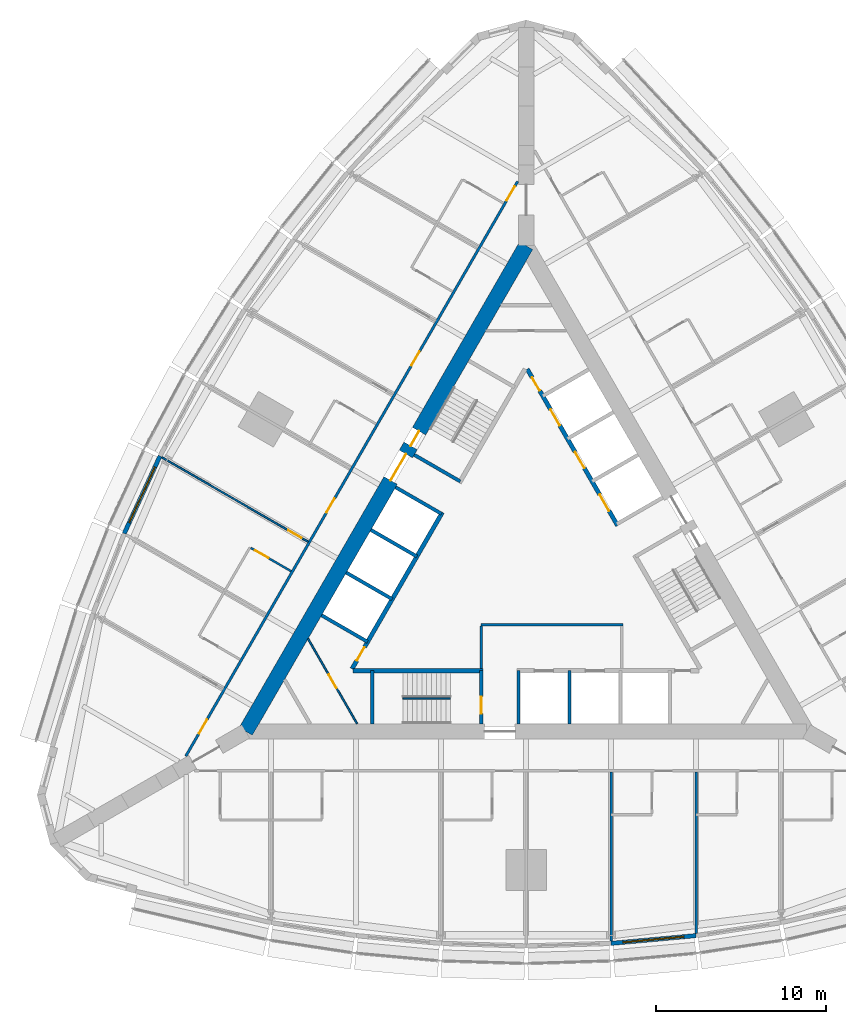
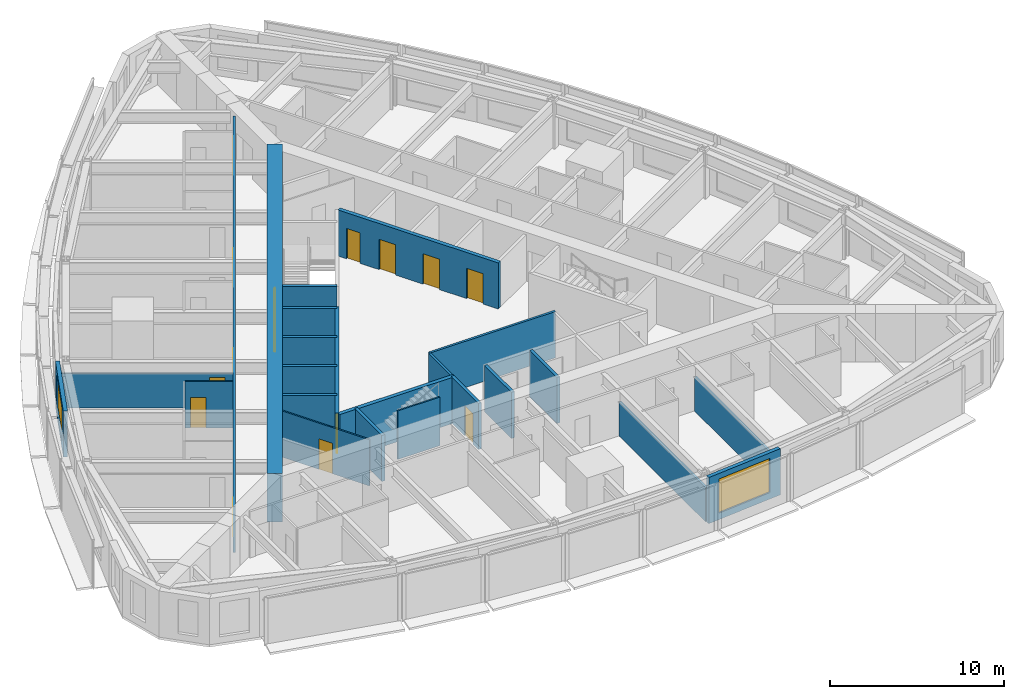
# One storey, part 9 of 14: 24 walls, 15 doors, 2 windows, 17 openings.
"""IFC4 building model written with IfcOpenShell, lengths in metres."""

from ifc_helpers import new_model, si_unit, direction, frame, frame_2d, origin, place, context, subcontext, project, spatial, rectangle, extrude, material, layer, layer_set, type_object, element, fill, save


model = new_model("IFC4")

# Units and contexts
model_context = context("Model", 3, precision=1e-05, world=origin(), true_north=direction((0.0, 1.0)))
body_context = subcontext(model_context, "Body", "Model", "MODEL_VIEW")
ifc_project = project(units=[si_unit("LENGTHUNIT", "METRE"), si_unit("AREAUNIT", "SQUARE_METRE"), si_unit("VOLUMEUNIT", "CUBIC_METRE"), si_unit("PLANEANGLEUNIT", "RADIAN"), si_unit("MASSUNIT", "GRAM", prefix="KILO")], contexts=[model_context])

# Site, building, storey
site_placement = place(None, origin())
site = spatial("IfcSite", under=ifc_project, at=site_placement, CompositionType="ELEMENT")
building_placement = place(site_placement, origin())
building = spatial("IfcBuilding", under=site, at=building_placement, Name="Trikona Tower", CompositionType="ELEMENT")
storey_placement = place(building_placement, frame((0.0, 0.0, 79.5)))
storey = spatial("IfcBuildingStorey", under=building, at=storey_placement, Name="L20", CompositionType="ELEMENT", Elevation=79.5)

# Wall, opening, door
ifc_material_1 = material(Name="Metal stud and cement board", Category="gypsum")
ifc_layer_1 = layer(ifc_material_1, 0.1201171875)
ifc_layer_set_1 = layer_set([ifc_layer_1], Name="Bathroom wall 120")
wall_type_1 = type_object("IfcWallType", Name="Bathroom wall 120", PredefinedType="PLUMBINGWALL", material=ifc_layer_set_1)
wall_1_placement = place(storey_placement, frame((-13.82861328125, -0.09912109375, 0.0), z_axis=(0.0, 0.0, 1.0), x_axis=(-0.865997131366, 0.500048966069, 0.0)))
wall_1 = element("IfcWall", 1, at=wall_1_placement, inside=storey, type_object=wall_type_1, Name="Bathroom wall 2015.1", PredefinedType="PLUMBINGWALL", context=body_context, shape_type="SweptSolid", body=[
    extrude(rectangle(XDim=2.739990234375, YDim=0.1201171875, at=frame_2d((1.3701171875, 0.0))), origin(), (0.0, 0.0, 1.0), 3.235107421875),
])
opening_1_placement = place(wall_1_placement, frame((1.550048828125, 0.0, 0.0)))
opening_1 = element("IfcOpeningElement", 2, at=opening_1_placement, cuts=wall_1, Name="Opening D2", PredefinedType="OPENING", context=body_context, shape_type="SweptSolid", body=[
    extrude(rectangle(XDim=0.89990234375, YDim=2.1298828125, at=frame_2d((0.449951171875, 1.06494140625))), frame((0.0, 0.070068359375, 0.0), z_axis=(0.0, -1.0, 0.0), x_axis=(1.0, 0.0, 0.0)), (0.0, 0.0, 1.0), 0.14013671875),
])
ifc_material_2 = material(Name="Steel door frame with solid-core timber leaf", Category="steel")
door_type_1 = type_object("IfcDoorType", Name="Bathroom door 900x2130", OperationType="SLIDING_TO_LEFT", PredefinedType="DOOR", material=ifc_material_2)
door_1_placement = place(opening_1_placement, origin())
door_1 = element("IfcDoor", 3, at=door_1_placement, inside=storey, type_object=door_type_1, Name="Bathroom door 2015.1", OperationType="SLIDING_TO_LEFT", OverallHeight=2.1298828125, OverallWidth=0.89990234375, PredefinedType="DOOR", context=body_context, shape_type="SweptSolid", body=[
    extrude(rectangle(XDim=0.89990234375, YDim=2.1298828125, at=frame_2d((0.449951171875, 1.06494140625))), frame((0.0, 0.02490234375, 0.0), z_axis=(0.0, -1.0, 0.0), x_axis=(1.0, 0.0, 0.0)), (0.0, 0.0, 1.0), 0.050048828125),
])
fill(opening_1, door_1)

# Wall, openings, doors
ifc_material_3 = material(Name="Concrete f'c 10000 psi", Category="concrete")
ifc_layer_2 = layer(ifc_material_3, 0.89990234375)
ifc_layer_set_2 = layer_set([ifc_layer_2], Name="Core wall 900")
wall_type_2 = type_object("IfcWallType", Name="Core wall 900", PredefinedType="SHEAR", material=ifc_layer_set_2)
wall_2_placement = place(storey_placement, frame((0.0, 19.052490234375, 0.0), z_axis=(0.0, 0.0, 1.0), x_axis=(-0.499999749417, -0.866025548458, 0.0)))
wall_2 = element("IfcWall", 4, at=wall_2_placement, inside=storey, type_object=wall_type_2, Name="Core wall C", PredefinedType="SHEAR", context=body_context, shape_type="SweptSolid", body=[
    extrude(rectangle(XDim=33.0, YDim=0.89990234375, at=frame_2d((16.5, 0.0))), origin(), (0.0, 0.0, 1.0), 3.39990234375),
])
opening_2_placement = place(wall_2_placement, frame((14.14990234375, 0.0, 0.0)))
opening_2 = element("IfcOpeningElement", 5, at=opening_2_placement, cuts=wall_2, Name="Opening D6", PredefinedType="OPENING", context=body_context, shape_type="SweptSolid", body=[
    extrude(rectangle(XDim=1.800048828125, YDim=2.1298828125, at=frame_2d((0.89990234375, 1.06494140625))), frame((0.0, 0.4599609375, 0.0), z_axis=(0.0, -1.0, 0.0), x_axis=(1.0, 0.0, 0.0)), (0.0, 0.0, 1.0), 0.919921875),
])
opening_3_placement = place(wall_2_placement, frame((12.60009765625, 0.0, 0.0)))
opening_3 = element("IfcOpeningElement", 6, at=opening_3_placement, cuts=wall_2, Name="Opening D5", PredefinedType="OPENING", context=body_context, shape_type="SweptSolid", body=[
    extrude(rectangle(XDim=1.0, YDim=2.1298828125, at=frame_2d((0.5, 1.06494140625))), frame((0.0, 0.4599609375, 0.0), z_axis=(0.0, -1.0, 0.0), x_axis=(1.0, 0.0, 0.0)), (0.0, 0.0, 1.0), 0.919921875),
])
ifc_material_4 = material(Name="Hollow metal door and frame", Category="steel")
door_type_2 = type_object("IfcDoorType", Name="Lobby door pair 1800x2130", OperationType="DOUBLE_DOOR_SINGLE_SWING", PredefinedType="DOOR", material=ifc_material_4)
door_2_placement = place(opening_2_placement, origin())
door_2 = element("IfcDoor", 7, at=door_2_placement, inside=storey, type_object=door_type_2, Name="Lift lobby door C", OperationType="DOUBLE_DOOR_SINGLE_SWING", OverallHeight=2.1298828125, OverallWidth=1.800048828125, PredefinedType="DOOR", context=body_context, shape_type="SweptSolid", body=[
    extrude(rectangle(XDim=1.800048828125, YDim=2.1298828125, at=frame_2d((0.89990234375, 1.06494140625))), frame((0.0, 0.02490234375, 0.0), z_axis=(0.0, -1.0, 0.0), x_axis=(1.0, 0.0, 0.0)), (0.0, 0.0, 1.0), 0.050048828125),
])
fill(opening_2, door_2)
ifc_material_5 = material(Name="Hollow metal door and frame", Category="steel")
door_type_3 = type_object("IfcDoorType", Name="Stair door 1000x2130", OperationType="SINGLE_SWING_LEFT", PredefinedType="DOOR", material=ifc_material_5)
door_3_placement = place(opening_3_placement, origin())
door_3 = element("IfcDoor", 8, at=door_3_placement, inside=storey, type_object=door_type_3, Name="Stair C door", OperationType="SINGLE_SWING_RIGHT", OverallHeight=2.1298828125, OverallWidth=1.0, PredefinedType="DOOR", context=body_context, shape_type="SweptSolid", body=[
    extrude(rectangle(XDim=1.0, YDim=2.1298828125, at=frame_2d((0.5, 1.06494140625))), frame((0.0, 0.02490234375, 0.0), z_axis=(0.0, -1.0, 0.0), x_axis=(1.0, 0.0, 0.0)), (0.0, 0.0, 1.0), 0.050048828125),
])
fill(opening_3, door_3)

ifc_material_6 = material(Name="Metal stud and gypsum board, 1-hour", Category="gypsum")
ifc_layer_3 = layer(ifc_material_6, 0.14990234375)
ifc_layer_set_3 = layer_set([ifc_layer_3], Name="Corridor wall 150")
wall_type_3 = type_object("IfcWallType", Name="Corridor wall 150", PredefinedType="PARTITIONING", material=ifc_layer_set_3)
wall_3_placement = place(storey_placement, frame((-0.5, 22.83642578125, 0.0), z_axis=(0.0, 0.0, 1.0), x_axis=(-0.500001677587, -0.866024435227, 0.0)))
wall_3 = element("IfcWall", 9, at=wall_3_placement, inside=storey, type_object=wall_type_3, Name="Corridor wall L20-3", PredefinedType="PARTITIONING", context=body_context, shape_type="SweptSolid", body=[
    extrude(rectangle(XDim=39.053955078125, YDim=0.14990234375, at=frame_2d((19.52685546875, 0.0))), origin(), (0.0, 0.0, 1.0), 3.235107421875),
])
opening_4_placement = place(wall_3_placement, frame((0.35205078125, 0.0, 0.0)))
opening_4 = element("IfcOpeningElement", 10, at=opening_4_placement, cuts=wall_3, Name="Opening D1", PredefinedType="OPENING", context=body_context, shape_type="SweptSolid", body=[
    extrude(rectangle(XDim=0.949951171875, YDim=2.1298828125, at=frame_2d((0.47509765625, 1.06494140625))), frame((0.0, 0.0849609375, 0.0), z_axis=(0.0, -1.0, 0.0), x_axis=(1.0, 0.0, 0.0)), (0.0, 0.0, 1.0), 0.169921875),
])
opening_5_placement = place(wall_3_placement, frame((11.552001953125, 0.0, 0.0)))
opening_5 = element("IfcOpeningElement", 11, at=opening_5_placement, cuts=wall_3, Name="Opening D1", PredefinedType="OPENING", context=body_context, shape_type="SweptSolid", body=[
    extrude(rectangle(XDim=0.949951171875, YDim=2.1298828125, at=frame_2d((0.47509765625, 1.06494140625))), frame((0.0, 0.0849609375, 0.0), z_axis=(0.0, -1.0, 0.0), x_axis=(1.0, 0.0, 0.0)), (0.0, 0.0, 1.0), 0.169921875),
])
opening_6_placement = place(wall_3_placement, frame((21.552001953125, 0.0, 0.0)))
opening_6 = element("IfcOpeningElement", 12, at=opening_6_placement, cuts=wall_3, Name="Opening D1", PredefinedType="OPENING", context=body_context, shape_type="SweptSolid", body=[
    extrude(rectangle(XDim=0.949951171875, YDim=2.1298828125, at=frame_2d((0.47509765625, 1.06494140625))), frame((0.0, 0.0849609375, 0.0), z_axis=(0.0, -1.0, 0.0), x_axis=(1.0, 0.0, 0.0)), (0.0, 0.0, 1.0), 0.169921875),
])
opening_7_placement = place(wall_3_placement, frame((36.545654296875, 0.0, 0.0)))
opening_7 = element("IfcOpeningElement", 13, at=opening_7_placement, cuts=wall_3, Name="Opening D1", PredefinedType="OPENING", context=body_context, shape_type="SweptSolid", body=[
    extrude(rectangle(XDim=0.949951171875, YDim=2.1298828125, at=frame_2d((0.47509765625, 1.06494140625))), frame((0.0, 0.0849609375, 0.0), z_axis=(0.0, -1.0, 0.0), x_axis=(1.0, 0.0, 0.0)), (0.0, 0.0, 1.0), 0.169921875),
])
ifc_material_7 = material(Name="Steel door frame with solid-core timber leaf", Category="steel")
door_type_4 = type_object("IfcDoorType", Name="Guest room door 950x2130", OperationType="SINGLE_SWING_LEFT", PredefinedType="DOOR", material=ifc_material_7)
door_4_placement = place(opening_4_placement, origin())
door_4 = element("IfcDoor", 14, at=door_4_placement, inside=storey, type_object=door_type_4, Name="Room door 2013", OperationType="SINGLE_SWING_LEFT", OverallHeight=2.1298828125, OverallWidth=0.949951171875, PredefinedType="DOOR", context=body_context, shape_type="SweptSolid", body=[
    extrude(rectangle(XDim=0.949951171875, YDim=2.1298828125, at=frame_2d((0.47509765625, 1.06494140625))), frame((0.0, 0.02490234375, 0.0), z_axis=(0.0, -1.0, 0.0), x_axis=(1.0, 0.0, 0.0)), (0.0, 0.0, 1.0), 0.050048828125),
])
fill(opening_4, door_4)
door_5_placement = place(opening_5_placement, origin())
door_5 = element("IfcDoor", 15, at=door_5_placement, inside=storey, type_object=door_type_4, Name="Room door 2014", OperationType="SINGLE_SWING_RIGHT", OverallHeight=2.1298828125, OverallWidth=0.949951171875, PredefinedType="DOOR", context=body_context, shape_type="SweptSolid", body=[
    extrude(rectangle(XDim=0.949951171875, YDim=2.1298828125, at=frame_2d((0.47509765625, 1.06494140625))), frame((0.0, 0.02490234375, 0.0), z_axis=(0.0, -1.0, 0.0), x_axis=(1.0, 0.0, 0.0)), (0.0, 0.0, 1.0), 0.050048828125),
])
fill(opening_5, door_5)
door_6_placement = place(opening_6_placement, origin())
door_6 = element("IfcDoor", 16, at=door_6_placement, inside=storey, type_object=door_type_4, Name="Room door 2015", OperationType="SINGLE_SWING_LEFT", OverallHeight=2.1298828125, OverallWidth=0.949951171875, PredefinedType="DOOR", context=body_context, shape_type="SweptSolid", body=[
    extrude(rectangle(XDim=0.949951171875, YDim=2.1298828125, at=frame_2d((0.47509765625, 1.06494140625))), frame((0.0, 0.02490234375, 0.0), z_axis=(0.0, -1.0, 0.0), x_axis=(1.0, 0.0, 0.0)), (0.0, 0.0, 1.0), 0.050048828125),
])
fill(opening_6, door_6)
door_7_placement = place(opening_7_placement, origin())
door_7 = element("IfcDoor", 17, at=door_7_placement, inside=storey, type_object=door_type_4, Name="Room door 2016", OperationType="SINGLE_SWING_RIGHT", OverallHeight=2.1298828125, OverallWidth=0.949951171875, PredefinedType="DOOR", context=body_context, shape_type="SweptSolid", body=[
    extrude(rectangle(XDim=0.949951171875, YDim=2.1298828125, at=frame_2d((0.47509765625, 1.06494140625))), frame((0.0, 0.02490234375, 0.0), z_axis=(0.0, -1.0, 0.0), x_axis=(1.0, 0.0, 0.0)), (0.0, 0.0, 1.0), 0.050048828125),
])
fill(opening_7, door_7)

# Wall
ifc_material_8 = material(Name="Concrete f'c 8000 psi", Category="concrete")
ifc_layer_4 = layer(ifc_material_8, 0.25)
ifc_layer_set_4 = layer_set([ifc_layer_4], Name="Hub wall 250")
wall_type_4 = type_object("IfcWallType", Name="Hub wall 250", PredefinedType="SOLIDWALL", material=ifc_layer_set_4)
wall_4_placement = place(storey_placement, frame((-10.182861328125, -5.951416015625, 0.0), z_axis=(0.0, 0.0, 1.0), x_axis=(1.0, 0.0, 0.0)))
element("IfcWall", 18, at=wall_4_placement, inside=storey, type_object=wall_type_4, Name="Lift lobby wall A1", PredefinedType="SOLIDWALL", context=body_context, shape_type="SweptSolid", body=[
    extrude(rectangle(XDim=7.6328125, YDim=0.25, at=frame_2d((3.81640625, 0.0))), origin(), (0.0, 0.0, 1.0), 3.235107421875),
])

# Wall, openings, doors
wall_5_placement = place(storey_placement, frame((5.37890625, 2.5859375, 0.0), z_axis=(0.0, 0.0, 1.0), x_axis=(-0.500001375892, 0.866024609411, 0.0)))
wall_5 = element("IfcWall", 19, at=wall_5_placement, inside=storey, type_object=wall_type_4, Name="Lift lobby wall B2", PredefinedType="SOLIDWALL", context=body_context, shape_type="SweptSolid", body=[
    extrude(rectangle(XDim=10.6328125, YDim=0.25, at=frame_2d((5.31640625, 0.0))), origin(), (0.0, 0.0, 1.0), 3.235107421875),
])
opening_8_placement = place(wall_5_placement, frame((9.1640625, 0.0, 0.0)))
opening_8 = element("IfcOpeningElement", 20, at=opening_8_placement, cuts=wall_5, Name="Opening D14", PredefinedType="OPENING", context=body_context, shape_type="SweptSolid", body=[
    extrude(rectangle(XDim=0.89990234375, YDim=2.1298828125, at=frame_2d((0.449951171875, 1.06494140625))), frame((0.0, 0.135009765625, 0.0), z_axis=(0.0, -1.0, 0.0), x_axis=(1.0, 0.0, 0.0)), (0.0, 0.0, 1.0), 0.27001953125),
])
opening_9_placement = place(wall_5_placement, frame((1.0, 0.0, 0.0)))
opening_9 = element("IfcOpeningElement", 21, at=opening_9_placement, cuts=wall_5, Name="Opening LD", PredefinedType="OPENING", context=body_context, shape_type="SweptSolid", body=[
    extrude(rectangle(XDim=1.10009765625, YDim=2.1298828125, at=frame_2d((0.550048828125, 1.06494140625))), frame((0.0, 0.135009765625, 0.0), z_axis=(0.0, -1.0, 0.0), x_axis=(1.0, 0.0, 0.0)), (0.0, 0.0, 1.0), 0.27001953125),
])
opening_10_placement = place(wall_5_placement, frame((3.89990234375, 0.0, 0.0)))
opening_10 = element("IfcOpeningElement", 22, at=opening_10_placement, cuts=wall_5, Name="Opening LD", PredefinedType="OPENING", context=body_context, shape_type="SweptSolid", body=[
    extrude(rectangle(XDim=1.10009765625, YDim=2.1298828125, at=frame_2d((0.550048828125, 1.06494140625))), frame((0.0, 0.135009765625, 0.0), z_axis=(0.0, -1.0, 0.0), x_axis=(1.0, 0.0, 0.0)), (0.0, 0.0, 1.0), 0.27001953125),
])
opening_11_placement = place(wall_5_placement, frame((6.800048828125, 0.0, 0.0)))
opening_11 = element("IfcOpeningElement", 23, at=opening_11_placement, cuts=wall_5, Name="Opening LD", PredefinedType="OPENING", context=body_context, shape_type="SweptSolid", body=[
    extrude(rectangle(XDim=1.10009765625, YDim=2.1298828125, at=frame_2d((0.550048828125, 1.06494140625))), frame((0.0, 0.135009765625, 0.0), z_axis=(0.0, -1.0, 0.0), x_axis=(1.0, 0.0, 0.0)), (0.0, 0.0, 1.0), 0.27001953125),
])
ifc_material_9 = material(Name="Stainless steel lift landing door", Category="steel")
door_type_5 = type_object("IfcDoorType", Name="Lift landing door 1100x2130", OperationType="DOUBLE_DOOR_SLIDING", PredefinedType="USERDEFINED", material=ifc_material_9)
door_8_placement = place(opening_9_placement, origin())
door_8 = element("IfcDoor", 24, at=door_8_placement, inside=storey, type_object=door_type_5, Name="Lift landing door L1-1", ObjectType="LIFT LANDING DOOR", OperationType="DOUBLE_DOOR_SLIDING", OverallHeight=2.1298828125, OverallWidth=1.10009765625, PredefinedType="USERDEFINED", context=body_context, shape_type="SweptSolid", body=[
    extrude(rectangle(XDim=1.10009765625, YDim=2.1298828125, at=frame_2d((0.550048828125, 1.06494140625))), frame((0.0, 0.02490234375, 0.0), z_axis=(0.0, -1.0, 0.0), x_axis=(1.0, 0.0, 0.0)), (0.0, 0.0, 1.0), 0.050048828125),
])
fill(opening_9, door_8)
door_9_placement = place(opening_10_placement, origin())
door_9 = element("IfcDoor", 25, at=door_9_placement, inside=storey, type_object=door_type_5, Name="Lift landing door L1-2", ObjectType="LIFT LANDING DOOR", OperationType="DOUBLE_DOOR_SLIDING", OverallHeight=2.1298828125, OverallWidth=1.10009765625, PredefinedType="USERDEFINED", context=body_context, shape_type="SweptSolid", body=[
    extrude(rectangle(XDim=1.10009765625, YDim=2.1298828125, at=frame_2d((0.550048828125, 1.06494140625))), frame((0.0, 0.02490234375, 0.0), z_axis=(0.0, -1.0, 0.0), x_axis=(1.0, 0.0, 0.0)), (0.0, 0.0, 1.0), 0.050048828125),
])
fill(opening_10, door_9)
door_10_placement = place(opening_11_placement, origin())
door_10 = element("IfcDoor", 26, at=door_10_placement, inside=storey, type_object=door_type_5, Name="Lift landing door L1-3", ObjectType="LIFT LANDING DOOR", OperationType="DOUBLE_DOOR_SLIDING", OverallHeight=2.1298828125, OverallWidth=1.10009765625, PredefinedType="USERDEFINED", context=body_context, shape_type="SweptSolid", body=[
    extrude(rectangle(XDim=1.10009765625, YDim=2.1298828125, at=frame_2d((0.550048828125, 1.06494140625))), frame((0.0, 0.02490234375, 0.0), z_axis=(0.0, -1.0, 0.0), x_axis=(1.0, 0.0, 0.0)), (0.0, 0.0, 1.0), 0.050048828125),
])
fill(opening_11, door_10)
ifc_material_10 = material(Name="Hollow metal door and frame", Category="steel")
door_type_6 = type_object("IfcDoorType", Name="Service room door 900x2130", OperationType="SINGLE_SWING_LEFT", PredefinedType="DOOR", material=ifc_material_10)
door_11_placement = place(opening_8_placement, origin())
door_11 = element("IfcDoor", 27, at=door_11_placement, inside=storey, type_object=door_type_6, Name="Door Linen store LIN", OperationType="SINGLE_SWING_RIGHT", OverallHeight=2.1298828125, OverallWidth=0.89990234375, PredefinedType="DOOR", context=body_context, shape_type="SweptSolid", body=[
    extrude(rectangle(XDim=0.89990234375, YDim=2.1298828125, at=frame_2d((0.449951171875, 1.06494140625))), frame((0.0, 0.02490234375, 0.0), z_axis=(0.0, -1.0, 0.0), x_axis=(1.0, 0.0, 0.0)), (0.0, 0.0, 1.0), 0.050048828125),
])
fill(opening_8, door_11)

# Wall, opening, door
wall_6_placement = place(storey_placement, frame((-4.928955078125, 3.365478515625, 0.0), z_axis=(0.0, 0.0, 1.0), x_axis=(-0.499991433582, -0.866030349552, 0.0)))
wall_6 = element("IfcWall", 28, at=wall_6_placement, inside=storey, type_object=wall_type_4, Name="Lift lobby wall C2", PredefinedType="SOLIDWALL", context=body_context, shape_type="SweptSolid", body=[
    extrude(rectangle(XDim=10.633056640625, YDim=0.25, at=frame_2d((5.31640625, 0.0))), origin(), (0.0, 0.0, 1.0), 3.235107421875),
])
opening_12_placement = place(wall_6_placement, frame((9.1640625, 0.0, 0.0)))
opening_12 = element("IfcOpeningElement", 29, at=opening_12_placement, cuts=wall_6, Name="Opening D14", PredefinedType="OPENING", context=body_context, shape_type="SweptSolid", body=[
    extrude(rectangle(XDim=0.89990234375, YDim=2.1298828125, at=frame_2d((0.449951171875, 1.06494140625))), frame((0.0, 0.135009765625, 0.0), z_axis=(0.0, -1.0, 0.0), x_axis=(1.0, 0.0, 0.0)), (0.0, 0.0, 1.0), 0.27001953125),
])
door_12_placement = place(opening_12_placement, origin())
door_12 = element("IfcDoor", 30, at=door_12_placement, inside=storey, type_object=door_type_6, Name="Door Ice and vending ICE", OperationType="SINGLE_SWING_RIGHT", OverallHeight=2.1298828125, OverallWidth=0.89990234375, PredefinedType="DOOR", context=body_context, shape_type="SweptSolid", body=[
    extrude(rectangle(XDim=0.89990234375, YDim=2.1298828125, at=frame_2d((0.449951171875, 1.06494140625))), frame((0.0, 0.02490234375, 0.0), z_axis=(0.0, -1.0, 0.0), x_axis=(1.0, 0.0, 0.0)), (0.0, 0.0, 1.0), 0.050048828125),
])
fill(opening_12, door_12)

# Wall, opening, window
ifc_material_11 = material(Name="Insulated precast concrete spandrel panel", Category="concrete")
ifc_layer_5 = layer(ifc_material_11, 0.25)
ifc_layer_set_5 = layer_set([ifc_layer_5], Name="Inner skin wall 250")
wall_type_5 = type_object("IfcWallType", Name="Inner skin wall 250", PredefinedType="STANDARD", material=ifc_layer_set_5)
wall_7_placement = place(storey_placement, frame((4.988525390625, -21.995849609375, 0.0), z_axis=(0.0, 0.0, 1.0), x_axis=(0.995857256774, 0.090930325692, 0.0)))
wall_7 = element("IfcWall", 31, at=wall_7_placement, inside=storey, type_object=wall_type_5, Name="External wall L20-05", PredefinedType="STANDARD", context=body_context, shape_type="SweptSolid", body=[
    extrude(rectangle(XDim=5.020751953125, YDim=0.25, at=frame_2d((2.51025390625, 0.0))), origin(), (0.0, 0.0, 1.0), 3.235107421875),
])
opening_13_placement = place(wall_7_placement, frame((0.71044921875, 0.0, 0.449951171875)))
opening_13 = element("IfcOpeningElement", 32, at=opening_13_placement, cuts=wall_7, Name="Opening W3624", PredefinedType="OPENING", context=body_context, shape_type="SweptSolid", body=[
    extrude(rectangle(XDim=3.60009765625, YDim=2.39990234375, at=frame_2d((1.800048828125, 1.199951171875))), frame((0.0, 0.135009765625, 0.0), z_axis=(0.0, -1.0, 0.0), x_axis=(1.0, 0.0, 0.0)), (0.0, 0.0, 1.0), 0.27001953125),
])
ifc_material_12 = material(Name="Aluminium-framed double glazing", Category="aluminium")
window_type = type_object("IfcWindowType", Name="Window 3600x2400", PartitioningType="SINGLE_PANEL", PredefinedType="WINDOW", material=ifc_material_12)
window_1_placement = place(opening_13_placement, origin())
window_1 = element("IfcWindow", 33, at=window_1_placement, inside=storey, type_object=window_type, Name="Window 2004", OverallHeight=2.39990234375, OverallWidth=3.60009765625, PartitioningType="SINGLE_PANEL", PredefinedType="WINDOW", context=body_context, shape_type="SweptSolid", body=[
    extrude(rectangle(XDim=3.60009765625, YDim=2.39990234375, at=frame_2d((1.800048828125, 1.199951171875))), frame((0.0, 0.030029296875, 0.0), z_axis=(0.0, -1.0, 0.0), x_axis=(1.0, 0.0, 0.0)), (0.0, 0.0, 1.0), 0.06005859375),
])
fill(opening_13, window_1)

wall_8_placement = place(storey_placement, frame((-21.543212890625, 6.677734375, 0.0), z_axis=(0.0, 0.0, 1.0), x_axis=(-0.419203100754, -0.907892482796, 0.0)))
wall_8 = element("IfcWall", 34, at=wall_8_placement, inside=storey, type_object=wall_type_5, Name="External wall L20-29", PredefinedType="STANDARD", context=body_context, shape_type="SweptSolid", body=[
    extrude(rectangle(XDim=5.020751953125, YDim=0.25, at=frame_2d((2.51025390625, 0.0))), origin(), (0.0, 0.0, 1.0), 3.235107421875),
])
opening_14_placement = place(wall_8_placement, frame((0.71044921875, 0.0, 0.449951171875)))
opening_14 = element("IfcOpeningElement", 35, at=opening_14_placement, cuts=wall_8, Name="Opening W3624", PredefinedType="OPENING", context=body_context, shape_type="SweptSolid", body=[
    extrude(rectangle(XDim=3.60009765625, YDim=2.39990234375, at=frame_2d((1.800048828125, 1.199951171875))), frame((0.0, 0.135009765625, 0.0), z_axis=(0.0, -1.0, 0.0), x_axis=(1.0, 0.0, 0.0)), (0.0, 0.0, 1.0), 0.27001953125),
])
window_2_placement = place(opening_14_placement, origin())
window_2 = element("IfcWindow", 36, at=window_2_placement, inside=storey, type_object=window_type, Name="Window 2015.1", OverallHeight=2.39990234375, OverallWidth=3.60009765625, PartitioningType="SINGLE_PANEL", PredefinedType="WINDOW", context=body_context, shape_type="SweptSolid", body=[
    extrude(rectangle(XDim=3.60009765625, YDim=2.39990234375, at=frame_2d((1.800048828125, 1.199951171875))), frame((0.0, 0.030029296875, 0.0), z_axis=(0.0, -1.0, 0.0), x_axis=(1.0, 0.0, 0.0)), (0.0, 0.0, 1.0), 0.06005859375),
])
fill(opening_14, window_2)

# Walls
ifc_material_13 = material(Name="Metal stud and gypsum board, 2-hour shaft wall", Category="gypsum")
ifc_layer_6 = layer(ifc_material_13, 0.14990234375)
ifc_layer_set_6 = layer_set([ifc_layer_6], Name="Lobby wall 150")
wall_type_6 = type_object("IfcWallType", Name="Lobby wall 150", PredefinedType="PARTITIONING", material=ifc_layer_set_6)
wall_9_placement = place(storey_placement, frame((-2.64990234375, -3.251220703125, 0.0), z_axis=(0.0, 0.0, 1.0), x_axis=(1.0, 0.0, 0.0)))
element("IfcWall", 37, at=wall_9_placement, inside=storey, type_object=wall_type_6, Name="Fire service lift lobby wall 1", PredefinedType="PARTITIONING", context=body_context, shape_type="SweptSolid", body=[
    extrude(rectangle(XDim=8.349853515625, YDim=0.14990234375, at=frame_2d((4.1748046875, 0.0))), origin(), (0.0, 0.0, 1.0), 3.235107421875),
])
wall_10_placement = place(storey_placement, frame((-2.64990234375, -5.826416015625, 0.0), z_axis=(0.0, 0.0, 1.0), x_axis=(0.0, 1.0, 0.0)))
element("IfcWall", 38, at=wall_10_placement, inside=storey, type_object=wall_type_6, Name="Fire service lift lobby wall 2", PredefinedType="PARTITIONING", context=body_context, shape_type="SweptSolid", body=[
    extrude(rectangle(XDim=2.5, YDim=0.14990234375, at=frame_2d((1.25, 0.0))), origin(), (0.0, 0.0, 1.0), 3.235107421875),
])
ifc_material_14 = material(Name="Metal stud and gypsum board, 1-hour acoustic", Category="gypsum")
ifc_layer_7 = layer(ifc_material_14, 0.14990234375)
ifc_layer_set_7 = layer_set([ifc_layer_7], Name="Party wall 150")
wall_type_7 = type_object("IfcWallType", Name="Party wall 150", PredefinedType="PARTITIONING", material=ifc_layer_set_7)
wall_11_placement = place(storey_placement, frame((5.0, -11.92626953125, 0.0), z_axis=(0.0, 0.0, 1.0), x_axis=(0.0, -1.0, 0.0)))
element("IfcWall", 39, at=wall_11_placement, inside=storey, type_object=wall_type_7, Name="Partition L20 F1 u5", PredefinedType="PARTITIONING", context=body_context, shape_type="SweptSolid", body=[
    extrude(rectangle(XDim=9.943115234375, YDim=0.14990234375, at=frame_2d((4.9716796875, 0.0))), origin(), (0.0, 0.0, 1.0), 2.38916015625),
])
wall_12_placement = place(storey_placement, frame((10.0, -11.92626953125, 0.0), z_axis=(0.0, 0.0, 1.0), x_axis=(0.0, -1.0, 0.0)))
element("IfcWall", 40, at=wall_12_placement, inside=storey, type_object=wall_type_7, Name="Partition L20 F1 u10", PredefinedType="PARTITIONING", context=body_context, shape_type="SweptSolid", body=[
    extrude(rectangle(XDim=9.484619140625, YDim=0.14990234375, at=frame_2d((4.7421875, 0.0))), origin(), (0.0, 0.0, 1.0), 2.38916015625),
])
ifc_material_15 = material(Name="Concrete f'c 8000 psi", Category="concrete")
ifc_layer_8 = layer(ifc_material_15, 0.199951171875)
ifc_layer_set_8 = layer_set([ifc_layer_8], Name="Shaft wall 200")
wall_type_8 = type_object("IfcWallType", Name="Shaft wall 200", PredefinedType="SOLIDWALL", material=ifc_layer_set_8)
for number, where, z_axis, x_axis, name in (
    (41, (-0.449951171875, -5.951416015625, 0.0), (0.0, 0.0, 1.0), (0.0, -1.0, 0.0), "Shaft wall A3"),
    (42, (2.550048828125, -5.951416015625, 0.0), (0.0, 0.0, 1.0), (0.0, -1.0, 0.0), "Shaft wall A4"),
    (43, (-4.97900390625, 3.27880859375, 0.0), (0.0, 0.0, 1.0), (-0.866022959057, 0.500004234368, 0.0), "Shaft wall C3"),
    (44, (-6.428955078125, 0.767333984375, 0.0), (0.0, 0.0, 1.0), (-0.866022959057, 0.500004234368, 0.0), "Shaft wall C4"),
    (45, (-7.87890625, -1.744140625, 0.0), (0.0, 0.0, 1.0), (-0.866022959057, 0.500004234368, 0.0), "Shaft wall C5"),
    (46, (-9.3291015625, -4.255615234375, 0.0), (0.0, 0.0, 1.0), (-0.866022959057, 0.500004234368, 0.0), "Shaft wall C6"),
):
    element("IfcWall", number, at=place(storey_placement, frame(where, z_axis=z_axis, x_axis=x_axis)), inside=storey, type_object=wall_type_8, Name=name, PredefinedType="SOLIDWALL", context=body_context, shape_type="SweptSolid", body=[
        extrude(rectangle(XDim=3.125, YDim=0.199951171875, at=frame_2d((1.5625, 0.0))), origin(), (0.0, 0.0, 1.0), 3.235107421875),
    ])
ifc_material_16 = material(Name="Concrete f'c 8000 psi", Category="concrete")
ifc_layer_9 = layer(ifc_material_16, 0.199951171875)
ifc_layer_set_9 = layer_set([ifc_layer_9], Name="Shaft wall 200 load-bearing")
wall_type_9 = type_object("IfcWallType", Name="Shaft wall 200 load-bearing", PredefinedType="SOLIDWALL", material=ifc_layer_set_9)
wall_13_placement = place(storey_placement, frame((-9.050048828125, -5.951416015625, 0.0), z_axis=(0.0, 0.0, 1.0), x_axis=(0.0, -1.0, 0.0)))
element("IfcWall", 47, at=wall_13_placement, inside=storey, type_object=wall_type_9, Name="Shaft wall A1", PredefinedType="SOLIDWALL", context=body_context, shape_type="SweptSolid", body=[
    extrude(rectangle(XDim=3.125, YDim=0.199951171875, at=frame_2d((1.5625, 0.0))), origin(), (0.0, 0.0, 1.0), 3.235107421875),
])

# Wall, opening, door
wall_14_placement = place(storey_placement, frame((-2.64990234375, -5.951416015625, 0.0), z_axis=(0.0, 0.0, 1.0), x_axis=(0.0, -1.0, 0.0)))
wall_14 = element("IfcWall", 48, at=wall_14_placement, inside=storey, type_object=wall_type_9, Name="Shaft wall A2", PredefinedType="SOLIDWALL", context=body_context, shape_type="SweptSolid", body=[
    extrude(rectangle(XDim=3.125, YDim=0.199951171875, at=frame_2d((1.5625, 0.0))), origin(), (0.0, 0.0, 1.0), 3.235107421875),
])
opening_15_placement = place(wall_14_placement, frame((1.52490234375, 0.0, 0.0)))
opening_15 = element("IfcOpeningElement", 49, at=opening_15_placement, cuts=wall_14, Name="Opening D5", PredefinedType="OPENING", context=body_context, shape_type="SweptSolid", body=[
    extrude(rectangle(XDim=1.0, YDim=2.1298828125, at=frame_2d((0.5, 1.06494140625))), frame((0.0, 0.10986328125, 0.0), z_axis=(0.0, -1.0, 0.0), x_axis=(1.0, 0.0, 0.0)), (0.0, 0.0, 1.0), 0.219970703125),
])
door_13_placement = place(opening_15_placement, origin())
door_13 = element("IfcDoor", 50, at=door_13_placement, inside=storey, type_object=door_type_3, Name="Stair A door", OperationType="SINGLE_SWING_RIGHT", OverallHeight=2.1298828125, OverallWidth=1.0, PredefinedType="DOOR", context=body_context, shape_type="SweptSolid", body=[
    extrude(rectangle(XDim=1.0, YDim=2.1298828125, at=frame_2d((0.5, 1.06494140625))), frame((0.0, 0.02490234375, 0.0), z_axis=(0.0, -1.0, 0.0), x_axis=(1.0, 0.0, 0.0)), (0.0, 0.0, 1.0), 0.050048828125),
])
fill(opening_15, door_13)

# Walls
wall_15_placement = place(storey_placement, frame((-3.87890625, 5.18408203125, 0.0), z_axis=(0.0, 0.0, 1.0), x_axis=(-0.866022959057, 0.500004234368, 0.0)))
element("IfcWall", 51, at=wall_15_placement, inside=storey, type_object=wall_type_9, Name="Shaft wall C2", PredefinedType="SOLIDWALL", context=body_context, shape_type="SweptSolid", body=[
    extrude(rectangle(XDim=3.125, YDim=0.199951171875, at=frame_2d((1.5625, 0.0))), origin(), (0.0, 0.0, 1.0), 3.235107421875),
])
ifc_material_17 = material(Name="Concrete f'c 5000 psi", Category="concrete")
ifc_layer_10 = layer(ifc_material_17, 0.10009765625)
ifc_layer_set_10 = layer_set([ifc_layer_10], Name="Stair spine wall 100")
wall_type_10 = type_object("IfcWallType", Name="Stair spine wall 100", PredefinedType="SOLIDWALL", material=ifc_layer_set_10)
wall_16_placement = place(storey_placement, frame((-7.2470703125, -7.576416015625, 0.0), z_axis=(0.0, 0.0, 1.0), x_axis=(1.0, 0.0, 0.0)))
element("IfcWall", 52, at=wall_16_placement, inside=storey, type_object=wall_type_10, Name="Stair A spine wall L20", PredefinedType="SOLIDWALL", context=body_context, shape_type="SweptSolid", body=[
    extrude(rectangle(XDim=2.794189453125, YDim=0.10009765625, at=frame_2d((1.39697265625, 0.0))), origin(), (0.0, 0.0, 1.0), 3.39990234375),
])

# Wall, opening, door
ifc_material_18 = material(Name="Metal stud and gypsum board, acoustic", Category="gypsum")
ifc_layer_11 = layer(ifc_material_18, 0.10009765625)
ifc_layer_set_11 = layer_set([ifc_layer_11], Name="Suite partition 100")
wall_type_11 = type_object("IfcWallType", Name="Suite partition 100", PredefinedType="PARTITIONING", material=ifc_layer_set_11)
wall_17_placement = place(storey_placement, frame((-12.82861328125, 1.633056640625, 0.0), z_axis=(0.0, 0.0, 1.0), x_axis=(-0.866026934769, 0.499997348248, 0.0)))
wall_17 = element("IfcWall", 53, at=wall_17_placement, inside=storey, type_object=wall_type_11, Name="Suite partition L20 F3 u5", PredefinedType="PARTITIONING", context=body_context, shape_type="SweptSolid", body=[
    extrude(rectangle(XDim=9.94287109375, YDim=0.10009765625, at=frame_2d((4.971435546875, 0.0))), origin(), (0.0, 0.0, 1.0), 2.38916015625),
])
opening_16_placement = place(wall_17_placement, frame((0.449951171875, 0.0, 0.0)))
opening_16 = element("IfcOpeningElement", 54, at=opening_16_placement, cuts=wall_17, Name="Opening D13", PredefinedType="OPENING", context=body_context, shape_type="SweptSolid", body=[
    extrude(rectangle(XDim=0.89990234375, YDim=2.1298828125, at=frame_2d((0.449951171875, 1.06494140625))), frame((0.0, 0.06005859375, 0.0), z_axis=(0.0, -1.0, 0.0), x_axis=(1.0, 0.0, 0.0)), (0.0, 0.0, 1.0), 0.1201171875),
])
ifc_material_19 = material(Name="Steel door frame with solid-core timber leaf", Category="steel")
door_type_7 = type_object("IfcDoorType", Name="Suite door 900x2130", OperationType="SINGLE_SWING_LEFT", PredefinedType="DOOR", material=ifc_material_19)
door_14_placement = place(opening_16_placement, origin())
door_14 = element("IfcDoor", 55, at=door_14_placement, inside=storey, type_object=door_type_7, Name="Suite door 2015", OperationType="SINGLE_SWING_LEFT", OverallHeight=2.1298828125, OverallWidth=0.89990234375, PredefinedType="DOOR", context=body_context, shape_type="SweptSolid", body=[
    extrude(rectangle(XDim=0.89990234375, YDim=2.1298828125, at=frame_2d((0.449951171875, 1.06494140625))), frame((0.0, 0.02490234375, 0.0), z_axis=(0.0, -1.0, 0.0), x_axis=(1.0, 0.0, 0.0)), (0.0, 0.0, 1.0), 0.050048828125),
])
fill(opening_16, door_14)

wall_18_placement = place(storey_placement, frame((-9.947021484375, -9.076416015625, 0.0), z_axis=(0.0, 0.0, 1.0), x_axis=(-0.500027479704, 0.866009537788, 0.0)))
wall_18 = element("IfcWall", 56, at=wall_18_placement, inside=storey, type_object=wall_type_11, Name="Store partition L20-RS3", PredefinedType="PARTITIONING", context=body_context, shape_type="SweptSolid", body=[
    extrude(rectangle(XDim=5.773681640625, YDim=0.10009765625, at=frame_2d((2.88671875, 0.0))), origin(), (0.0, 0.0, 1.0), 3.235107421875),
])
opening_17_placement = place(wall_18_placement, frame((2.436767578125, 0.0, 0.0)))
opening_17 = element("IfcOpeningElement", 57, at=opening_17_placement, cuts=wall_18, Name="Opening D15", PredefinedType="OPENING", context=body_context, shape_type="SweptSolid", body=[
    extrude(rectangle(XDim=0.89990234375, YDim=2.1298828125, at=frame_2d((0.449951171875, 1.06494140625))), frame((0.0, 0.06005859375, 0.0), z_axis=(0.0, -1.0, 0.0), x_axis=(1.0, 0.0, 0.0)), (0.0, 0.0, 1.0), 0.1201171875),
])
ifc_material_20 = material(Name="Steel door frame with solid-core timber leaf", Category="steel")
door_type_8 = type_object("IfcDoorType", Name="Store door 900x2130", OperationType="SINGLE_SWING_LEFT", PredefinedType="DOOR", material=ifc_material_20)
door_15_placement = place(opening_17_placement, origin())
door_15 = element("IfcDoor", 58, at=door_15_placement, inside=storey, type_object=door_type_8, Name="Door Storage STO", OperationType="SINGLE_SWING_RIGHT", OverallHeight=2.1298828125, OverallWidth=0.89990234375, PredefinedType="DOOR", context=body_context, shape_type="SweptSolid", body=[
    extrude(rectangle(XDim=0.89990234375, YDim=2.1298828125, at=frame_2d((0.449951171875, 1.06494140625))), frame((0.0, 0.02490234375, 0.0), z_axis=(0.0, -1.0, 0.0), x_axis=(1.0, 0.0, 0.0)), (0.0, 0.0, 1.0), 0.050048828125),
])
fill(opening_17, door_15)

save(model, "model.ifc")
